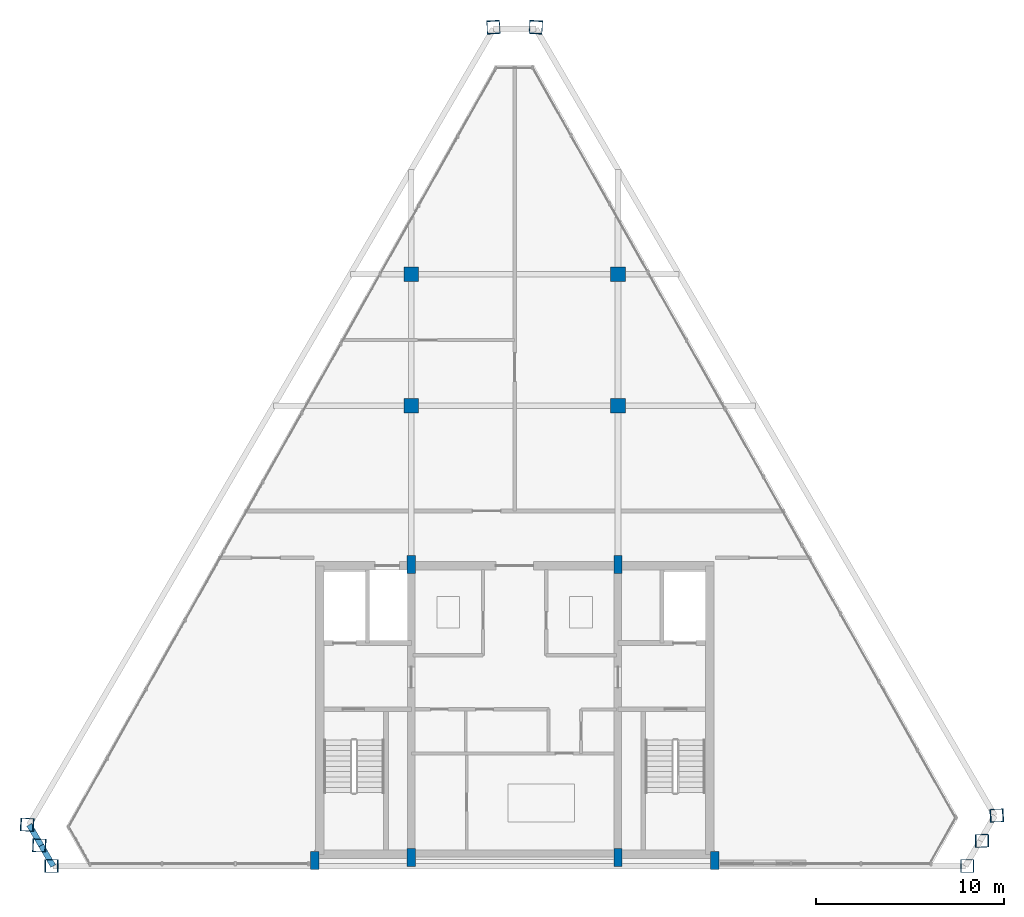
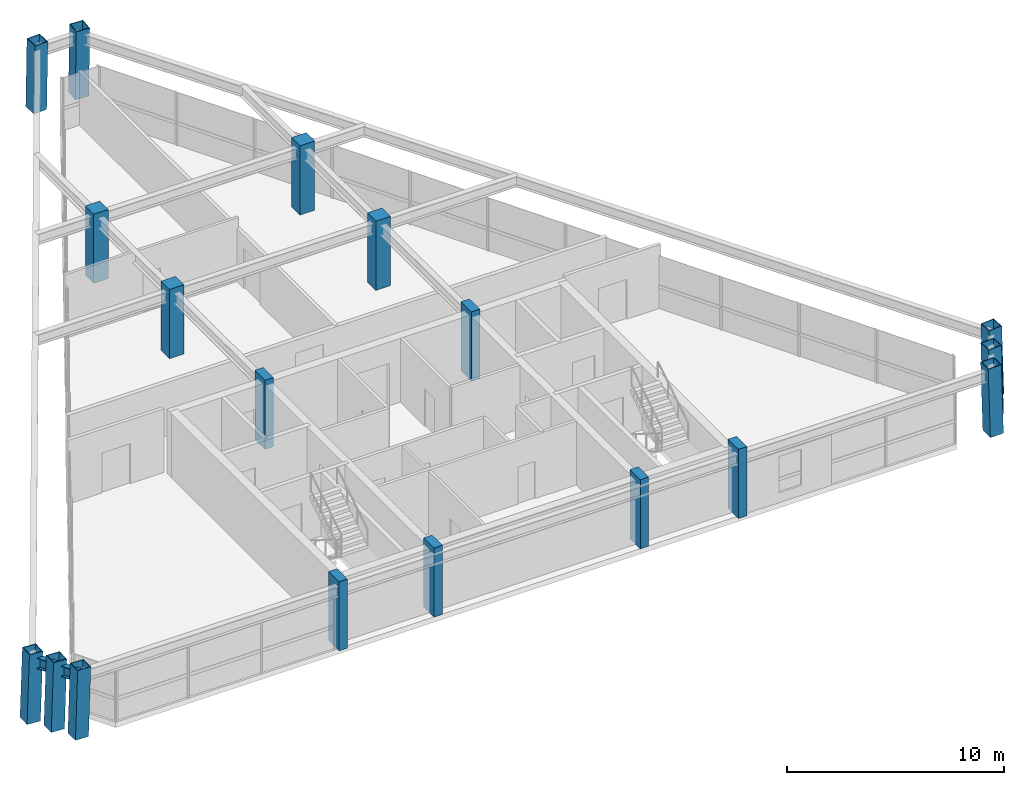
# One storey, part 1 of 12: 18 columns, 2 beams.
"""IFC4 building model written with IfcOpenShell, lengths in metres."""

from ifc_helpers import new_model, si_unit, direction, frame, origin, origin_2d, place, context, subcontext, project, spatial, rectangle, hollow_rectangle, i_section, extrude, source, transform, mapped, material, material_profile, profile_set, type_object, element, save


model = new_model("IFC4")

# Units and contexts
model_context = context("Model", 3, precision=1e-05, world=origin(), true_north=direction((0.0, 1.0)))
body_context = subcontext(model_context, "Body", "Model", "MODEL_VIEW")
ifc_project = project(units=[si_unit("LENGTHUNIT", "METRE"), si_unit("AREAUNIT", "SQUARE_METRE"), si_unit("VOLUMEUNIT", "CUBIC_METRE"), si_unit("PLANEANGLEUNIT", "RADIAN"), si_unit("MASSUNIT", "GRAM", prefix="KILO")], contexts=[model_context])

# Site, building, storey
site_placement = place(None, origin())
site = spatial("IfcSite", under=ifc_project, at=site_placement, CompositionType="ELEMENT")
building_placement = place(site_placement, origin())
building = spatial("IfcBuilding", under=site, at=building_placement, Name="Varnakhor Terracotta Tower", CompositionType="ELEMENT")
storey_placement = place(building_placement, frame((0.0, 0.0, 321.39990234375)))
storey = spatial("IfcBuildingStorey", under=building, at=storey_placement, Name="L84 Crown", CompositionType="ELEMENT", Elevation=321.39990234375)

# Columns
ifc_material_1 = material(Name="Concrete C50/60", Category="concrete")
ifc_material_profile_1 = material_profile(ifc_material_1, rectangle(XDim=0.449951171875, YDim=0.949951171875, at=origin_2d()), Name="RC PILASTER 950x450")
ifc_profile_set_1 = profile_set([ifc_material_profile_1], Name="Concrete C50/60")
column_type_1 = type_object("IfcColumnType", Name="COL-PIL-950x450", PredefinedType="PILASTER", material=ifc_profile_set_1)
shared_shape_1 = source(origin(), body_context, "Body", "SweptSolid", [
    extrude(rectangle(XDim=0.449951171875, YDim=0.949951171875, at=origin_2d()), origin(), (0.0, 0.0, 1.0), 3.900146484375),
])
for number, where, z_axis, x_axis, name in (
    (1, (-10.64990234375, 0.300048828125, 0.0), (0.0, 0.0, 1.0), (1.0, 0.0, 0.0), "L84 Crown Core Pilaster CP1"),
    (2, (-5.5, 0.449951171875, 0.0), (0.0, 0.0, 1.0), (1.0, 0.0, 0.0), "L84 Crown Core Pilaster CP2"),
    (3, (5.5, 0.449951171875, 0.0), (0.0, 0.0, 1.0), (1.0, 0.0, 0.0), "L84 Crown Core Pilaster CP3"),
    (4, (10.64990234375, 0.300048828125, 0.0), (0.0, 0.0, 1.0), (1.0, 0.0, 0.0), "L84 Crown Core Pilaster CP4"),
    (5, (-5.5, 16.050048828125, 0.0), (0.0, 0.0, 1.0), (1.0, 0.0, 0.0), "L84 Crown Core Pilaster CP5"),
    (6, (5.5, 16.050048828125, 0.0), (0.0, 0.0, 1.0), (1.0, 0.0, 0.0), "L84 Crown Core Pilaster CP6"),
):
    element("IfcColumn", number, at=place(storey_placement, frame(where, z_axis=z_axis, x_axis=x_axis)), inside=storey, type_object=column_type_1, Name=name, PredefinedType="PILASTER", context=body_context, shape_type="MappedRepresentation", body=[
        mapped(shared_shape_1, transform((0.0, 0.0, 0.0), scale=1.0)),
    ])
ifc_material_2 = material(Name="Steel S355", Category="steel")
ifc_material_profile_2 = material_profile(ifc_material_2, hollow_rectangle(XDim=0.699951171875, YDim=0.699951171875, WallThickness=0.035888671875, at=origin_2d()), Name="BOX 700x700x36")
ifc_profile_set_2 = profile_set([ifc_material_profile_2], Name="Steel S355")
column_type_2 = type_object("IfcColumnType", Name="COL-MEGA-700", PredefinedType="COLUMN", material=ifc_profile_set_2)
shared_shape_2 = source(origin(), body_context, "Body", "SweptSolid", [
    extrude(hollow_rectangle(XDim=0.699951171875, YDim=0.699951171875, WallThickness=0.035888671875, at=origin_2d()), origin(), (0.0, 0.0, 1.0), 3.89306640625),
])
for number, where, z_axis, x_axis, name in (
    (7, (-24.6787109375, 0.0, 0.00439453125), (0.030351779337, 0.0, 0.999539278613), (0.0, 1.0, 0.0), "L84 Crown Perimeter Mega-Column M1"),
    (8, (24.106201171875, 0.0, 0.00439453125), (-0.029599923583, 0.0, 0.999561826264), (0.0, -1.0, 0.0), "L84 Crown Perimeter Mega-Column M2"),
    (9, (24.89306640625, 1.345703125, 0.00439453125), (-0.030539725127, -0.000815228802, 0.999533221354), (0.026684539539, -0.999643904273, 0.0), "L84 Crown Perimeter Mega-Column M3"),
):
    element("IfcColumn", number, at=place(storey_placement, frame(where, z_axis=z_axis, x_axis=x_axis)), inside=storey, type_object=column_type_2, Name=name, PredefinedType="COLUMN", context=body_context, shape_type="MappedRepresentation", body=[
        mapped(shared_shape_2, transform((0.0, 0.0, 0.0), scale=1.0)),
    ])
ifc_material_profile_3 = material_profile(ifc_material_1, rectangle(XDim=0.780029296875, YDim=0.780029296875, at=origin_2d()), Name="RC 780x780")
ifc_profile_set_3 = profile_set([ifc_material_profile_3], Name="Concrete C50/60")
column_type_3 = type_object("IfcColumnType", Name="COL-RC-780", PredefinedType="COLUMN", material=ifc_profile_set_3)
shared_shape_3 = source(origin(), body_context, "Body", "SweptSolid", [
    extrude(rectangle(XDim=0.780029296875, YDim=0.780029296875, at=origin_2d()), origin(), (0.0, 0.0, 1.0), 3.900146484375),
])
for number, where, z_axis, x_axis, name in (
    (10, (-5.5, 24.5, 0.0), (0.0, 0.0, 1.0), (1.0, 0.0, 0.0), "L84 Crown Interior Tower Column IC1"),
    (11, (5.5, 24.5, 0.0), (0.0, 0.0, 1.0), (1.0, 0.0, 0.0), "L84 Crown Interior Tower Column IC2"),
    (12, (-5.5, 31.5, 0.0), (0.0, 0.0, 1.0), (1.0, 0.0, 0.0), "L84 Crown Interior Tower Column IC3"),
    (13, (5.5, 31.5, 0.0), (0.0, 0.0, 1.0), (1.0, 0.0, 0.0), "L84 Crown Interior Tower Column IC4"),
):
    element("IfcColumn", number, at=place(storey_placement, frame(where, z_axis=z_axis, x_axis=x_axis)), inside=storey, type_object=column_type_3, Name=name, PredefinedType="COLUMN", context=body_context, shape_type="MappedRepresentation", body=[
        mapped(shared_shape_3, transform((0.0, 0.0, 0.0), scale=1.0)),
    ])
shared_shape_4 = source(origin(), body_context, "Body", "SweptSolid", [
    extrude(hollow_rectangle(XDim=0.699951171875, YDim=0.699951171875, WallThickness=0.035888671875, at=origin_2d()), origin(), (0.0, 0.0, 1.0), 3.892578125),
])
for number, where, z_axis, x_axis, name in (
    (14, (1.131103515625, 44.665771484375, 0.00439453125), (-0.001442534341, -0.02540114817, 0.999676297992), (0.998391331005, -0.056698766946, 0.0), "L84 Crown Perimeter Mega-Column M5"),
    (15, (-1.131103515625, 44.665771484375, 0.00439453125), (0.001442534341, -0.02540114817, 0.999676297992), (0.998391331005, 0.056698766946, 0.0), "L84 Crown Perimeter Mega-Column M6"),
):
    element("IfcColumn", number, at=place(storey_placement, frame(where, z_axis=z_axis, x_axis=x_axis)), inside=storey, type_object=column_type_2, Name=name, PredefinedType="COLUMN", context=body_context, shape_type="MappedRepresentation", body=[
        mapped(shared_shape_4, transform((0.0, 0.0, 0.0), scale=1.0)),
    ])
shared_shape_5 = source(origin(), body_context, "Body", "SweptSolid", [
    extrude(hollow_rectangle(XDim=0.699951171875, YDim=0.699951171875, WallThickness=0.035888671875, at=origin_2d()), origin(), (0.0, 0.0, 1.0), 3.893310546875),
])
for number, where, z_axis, x_axis, name in (
    (16, (25.68017578125, 2.691162109375, 0.00439453125), (-0.031542076028, -0.001504989711, 0.999501291868), (0.047659497757, -0.99886364048, 0.0), "L84 Crown Perimeter Mega-Column M4"),
    (17, (-25.96630859375, 2.201904296875, 0.00439453125), (0.031917953453, -0.001254143554, 0.999489705485), (0.039262433532, 0.999228933385, 0.0), "L84 Crown Perimeter Mega-Column M7"),
    (18, (-25.322509765625, 1.100830078125, 0.00439453125), (0.031103577458, -0.000627088255, 0.999515969972), (0.020157194015, 0.999796823124, 0.0), "L84 Crown Perimeter Mega-Column M8"),
):
    element("IfcColumn", number, at=place(storey_placement, frame(where, z_axis=z_axis, x_axis=x_axis)), inside=storey, type_object=column_type_2, Name=name, PredefinedType="COLUMN", context=body_context, shape_type="MappedRepresentation", body=[
        mapped(shared_shape_5, transform((0.0, 0.0, 0.0), scale=1.0)),
    ])

# Beams
ifc_material_profile_4 = material_profile(ifc_material_2, i_section(OverallWidth=0.300048828125, OverallDepth=0.60009765625, WebThickness=0.015380859375, FlangeThickness=0.030029296875, FilletRadius=0.01806640625, at=origin_2d()), Name="HEB600")
ifc_profile_set_4 = profile_set([ifc_material_profile_4], Name="Steel S355")
beam_type = type_object("IfcBeamType", Name="BM-HEB600", PredefinedType="BEAM", material=ifc_profile_set_4)
shared_shape_6 = source(origin(), body_context, "Body", "SweptSolid", [
    extrude(i_section(OverallWidth=0.300048828125, OverallDepth=0.60009765625, WebThickness=0.015380859375, FlangeThickness=0.030029296875, FilletRadius=0.01806640625, at=origin_2d()), origin(), (0.0, 0.0, 1.0), 1.27197265625),
])
beam_1_placement = place(storey_placement, frame((-25.842041015625, 2.197021484375, 3.300048828125), z_axis=(0.503871025524, -0.863778900898, 0.0), x_axis=(0.863778900898, 0.503871025524, 0.0)))
element("IfcBeam", 19, at=beam_1_placement, inside=storey, type_object=beam_type, Name="L84 Crown Perimeter Spandrel 7", PredefinedType="BEAM", context=body_context, shape_type="MappedRepresentation", body=[
    mapped(shared_shape_6, transform((0.0, 0.0, 0.0), scale=1.0)),
])
shared_shape_7 = source(origin(), body_context, "Body", "SweptSolid", [
    extrude(i_section(OverallWidth=0.300048828125, OverallDepth=0.60009765625, WebThickness=0.015380859375, FlangeThickness=0.030029296875, FilletRadius=0.01806640625, at=origin_2d()), origin(), (0.0, 0.0, 1.0), 1.271728515625),
])
beam_2_placement = place(storey_placement, frame((-25.201171875, 1.098388671875, 3.300048828125), z_axis=(0.503954580403, -0.863730155136, 0.0), x_axis=(0.863730155136, 0.503954580403, 0.0)))
element("IfcBeam", 20, at=beam_2_placement, inside=storey, type_object=beam_type, Name="L84 Crown Perimeter Spandrel 8", PredefinedType="BEAM", context=body_context, shape_type="MappedRepresentation", body=[
    mapped(shared_shape_7, transform((0.0, 0.0, 0.0), scale=1.0)),
])

save(model, "model.ifc")
